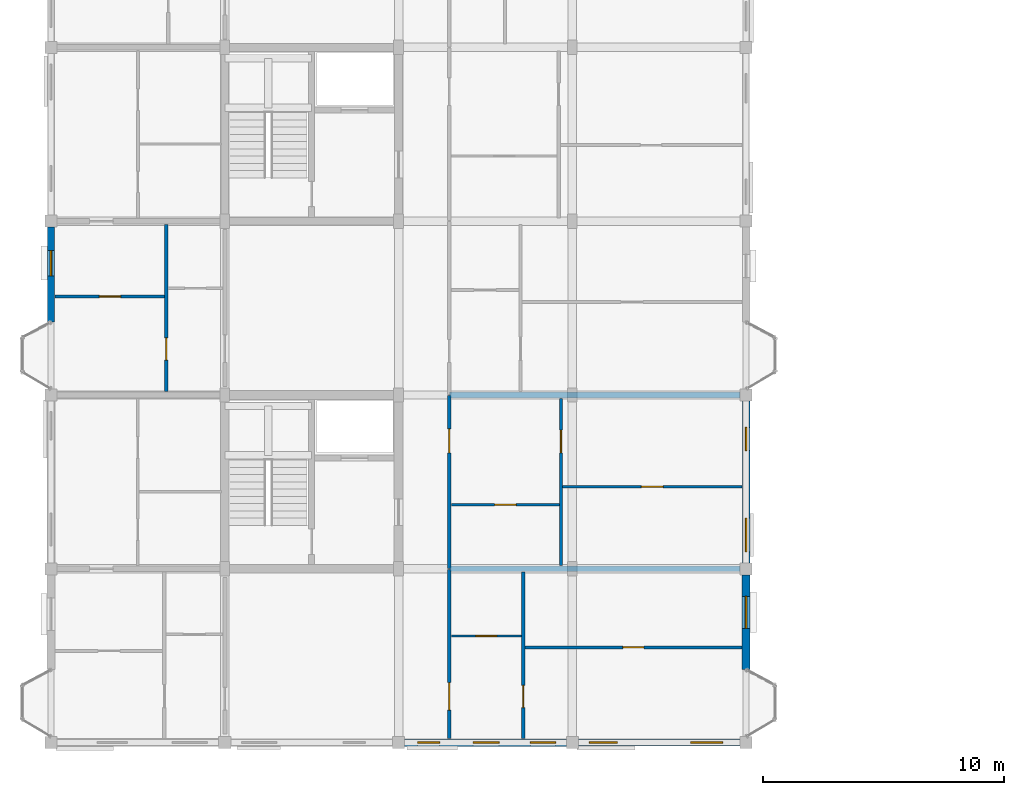
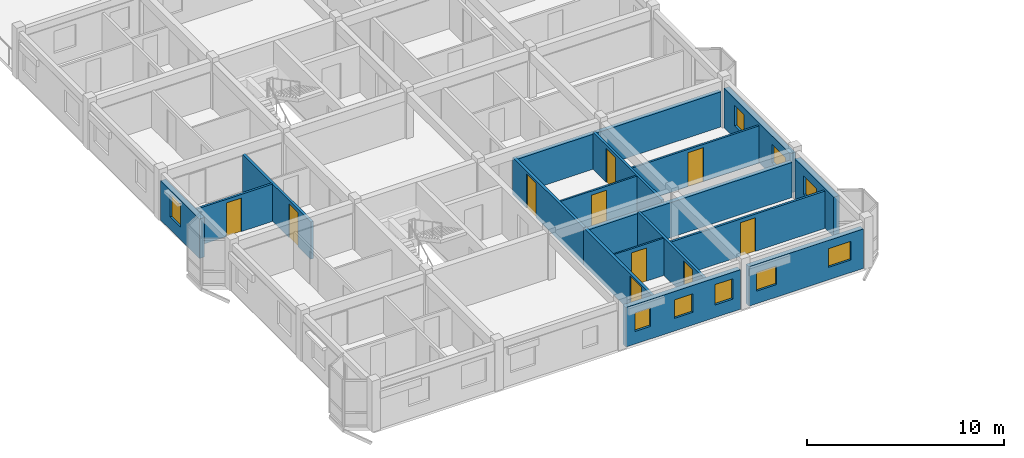
# One storey, part 47 of 70: 17 walls, 10 doors, 9 windows, 19 openings.
"""IFC4 building model written with IfcOpenShell, lengths in metres."""

from ifc_helpers import new_model, si_unit, direction, frame, frame_2d, origin, place, context, subcontext, project, spatial, rectangle, extrude, material, layer, layer_set, type_object, element, fill, save


model = new_model("IFC4")

# Units and contexts
model_context = context("Model", 3, precision=1e-05, world=origin(), true_north=direction((0.0, 1.0)))
body_context = subcontext(model_context, "Body", "Model", "MODEL_VIEW")
ifc_project = project(units=[si_unit("LENGTHUNIT", "METRE"), si_unit("AREAUNIT", "SQUARE_METRE"), si_unit("VOLUMEUNIT", "CUBIC_METRE"), si_unit("PLANEANGLEUNIT", "RADIAN"), si_unit("MASSUNIT", "GRAM", prefix="KILO"), si_unit("THERMODYNAMICTEMPERATUREUNIT", "KELVIN"), si_unit("POWERUNIT", "WATT")], contexts=[model_context])

# Site, building, storey
site_placement = place(None, origin())
site = spatial("IfcSite", under=ifc_project, at=site_placement, CompositionType="ELEMENT")
building_placement = place(site_placement, origin())
building = spatial("IfcBuilding", under=site, at=building_placement, Name="Tavuni Mirador Residences", CompositionType="ELEMENT")
storey_placement = place(building_placement, frame((0.0, 0.0, 23.39990234375)))
storey = spatial("IfcBuildingStorey", under=building, at=storey_placement, Name="L07", CompositionType="ELEMENT", Elevation=23.39990234375)

# Wall, opening, door
ifc_material_1 = material(Name="Precast concrete C40/50", Category="concrete")
ifc_layer_1 = layer(ifc_material_1, 0.1650390625, Name="Precast concrete C40/50", Category="concrete")
ifc_layer_set_1 = layer_set([ifc_layer_1], Name="Precast concrete C40/50")
wall_type_1 = type_object("IfcWallType", Name="WT-CORR165", PredefinedType="PARTITIONING", material=ifc_layer_set_1)
wall_1_placement = place(storey_placement, frame((20.10009765625, 7.375, 0.0), z_axis=(0.0, 0.0, 1.0), x_axis=(0.0, 1.0, 0.0)))
wall_1 = element("IfcWall", 1, at=wall_1_placement, inside=storey, type_object=wall_type_1, Name="CORW-BLK-A-L07-0-00", PredefinedType="PARTITIONING", context=body_context, shape_type="SweptSolid", body=[
    extrude(rectangle(XDim=7.0048828125, YDim=0.1650390625, at=frame_2d((3.50244140625, 0.0))), origin(), (0.0, 0.0, 1.0), 2.30517578125),
])
opening_1_placement = place(wall_1_placement, frame((1.175048828125, 0.0, 0.0)))
opening_1 = element("IfcOpeningElement", 2, at=opening_1_placement, cuts=wall_1, Name="Opening D-20", PredefinedType="OPENING", context=body_context, shape_type="SweptSolid", body=[
    extrude(rectangle(XDim=1.139892578125, YDim=2.179931640625, at=frame_2d((0.56982421875, 1.08984375))), frame((0.0, 0.092529296875, 0.0), z_axis=(0.0, -1.0, 0.0), x_axis=(1.0, 0.0, 0.0)), (0.0, 0.0, 1.0), 0.18505859375),
])
ifc_material_2 = material(Name="Solid core iroko timber", Category="wood")
door_type_1 = type_object("IfcDoorType", Name="DT-FD60-1140", OperationType="NOTDEFINED", PredefinedType="DOOR", material=ifc_material_2)
door_1_placement = place(opening_1_placement, origin())
door_1 = element("IfcDoor", 3, at=door_1_placement, inside=storey, type_object=door_type_1, Name="DR-2453", OperationType="SINGLE_SWING_RIGHT", OverallHeight=2.179931640625, OverallWidth=1.139892578125, PredefinedType="DOOR", context=body_context, shape_type="SweptSolid", body=[
    extrude(rectangle(XDim=1.139892578125, YDim=2.179931640625, at=frame_2d((0.56982421875, 1.08984375))), frame((0.0, 0.02490234375, 0.0), z_axis=(0.0, -1.0, 0.0), x_axis=(1.0, 0.0, 0.0)), (0.0, 0.0, 1.0), 0.050048828125),
])
fill(opening_1, door_1)

wall_2_placement = place(storey_placement, frame((20.10009765625, 14.419921875, 0.0), z_axis=(0.0, 0.0, 1.0), x_axis=(0.0, 1.0, 0.0)))
wall_2 = element("IfcWall", 4, at=wall_2_placement, inside=storey, type_object=wall_type_1, Name="CORW-BLK-A-L07-0-01", PredefinedType="PARTITIONING", context=body_context, shape_type="SweptSolid", body=[
    extrude(rectangle(XDim=7.16015625, YDim=0.1650390625, at=frame_2d((3.580078125, 0.0))), origin(), (0.0, 0.0, 1.0), 2.30517578125),
])
opening_2_placement = place(wall_2_placement, frame((4.780029296875, 0.0, 0.0)))
opening_2 = element("IfcOpeningElement", 5, at=opening_2_placement, cuts=wall_2, Name="Opening D-03", PredefinedType="OPENING", context=body_context, shape_type="SweptSolid", body=[
    extrude(rectangle(XDim=1.0, YDim=2.14990234375, at=frame_2d((0.5, 1.074951171875))), frame((0.0, 0.092529296875, 0.0), z_axis=(0.0, -1.0, 0.0), x_axis=(1.0, 0.0, 0.0)), (0.0, 0.0, 1.0), 0.18505859375),
])
door_type_2 = type_object("IfcDoorType", Name="DT-FD60-1000", OperationType="NOTDEFINED", PredefinedType="DOOR", material=ifc_material_2)
door_2_placement = place(opening_2_placement, origin())
door_2 = element("IfcDoor", 6, at=door_2_placement, inside=storey, type_object=door_type_2, Name="DR-2454", OperationType="SINGLE_SWING_LEFT", OverallHeight=2.14990234375, OverallWidth=1.0, PredefinedType="DOOR", context=body_context, shape_type="SweptSolid", body=[
    extrude(rectangle(XDim=1.0, YDim=2.14990234375, at=frame_2d((0.5, 1.074951171875))), frame((0.0, 0.02490234375, 0.0), z_axis=(0.0, -1.0, 0.0), x_axis=(1.0, 0.0, 0.0)), (0.0, 0.0, 1.0), 0.050048828125),
])
fill(opening_2, door_2)

# Wall, opening, window
ifc_layer_2 = layer(ifc_material_1, 0.330078125, Name="Precast concrete C40/50", Category="concrete")
ifc_layer_set_2 = layer_set([ifc_layer_2], Name="Precast concrete C40/50")
wall_type_2 = type_object("IfcWallType", Name="WT-EXT-COR330", PredefinedType="SOLIDWALL", material=ifc_layer_set_2)
wall_3_placement = place(storey_placement, frame((32.39990234375, 10.219970703125, 0.0), z_axis=(0.0, 0.0, 1.0), x_axis=(0.0, 1.0, 0.0)))
wall_3 = element("IfcWall", 7, at=wall_3_placement, inside=storey, type_object=wall_type_2, Name="EW-BLK-A-L07-E00", PredefinedType="SOLIDWALL", context=body_context, shape_type="SweptSolid", body=[
    extrude(rectangle(XDim=3.929931640625, YDim=0.330078125, at=frame_2d((1.96484375, 0.0))), origin(), (0.0, 0.0, 1.0), 2.440185546875),
])
opening_3_placement = place(wall_3_placement, frame((1.715087890625, 0.0, 0.780029296875)))
opening_3 = element("IfcOpeningElement", 8, at=opening_3_placement, cuts=wall_3, Name="Opening WN-07", PredefinedType="OPENING", context=body_context, shape_type="SweptSolid", body=[
    extrude(rectangle(XDim=1.320068359375, YDim=1.14990234375, at=frame_2d((0.66015625, 0.574951171875))), frame((0.0, 0.175048828125, 0.0), z_axis=(0.0, -1.0, 0.0), x_axis=(1.0, 0.0, 0.0)), (0.0, 0.0, 1.0), 0.35009765625),
])
ifc_material_3 = material(Name="Laminated solar-control glass", Category="glass")
window_type_1 = type_object("IfcWindowType", Name="WNT-07", PartitioningType="SINGLE_PANEL", PredefinedType="WINDOW", material=ifc_material_3)
window_1_placement = place(opening_3_placement, origin())
window_1 = element("IfcWindow", 9, at=window_1_placement, inside=storey, type_object=window_type_1, Name="WIN-0269", OverallHeight=1.14990234375, OverallWidth=1.320068359375, PartitioningType="SINGLE_PANEL", PredefinedType="WINDOW", context=body_context, shape_type="SweptSolid", body=[
    extrude(rectangle(XDim=1.320068359375, YDim=1.14990234375, at=frame_2d((0.66015625, 0.574951171875))), frame((0.0, 0.030029296875, 0.0), z_axis=(0.0, -1.0, 0.0), x_axis=(1.0, 0.0, 0.0)), (0.0, 0.0, 1.0), 0.06005859375),
])
fill(opening_3, window_1)

# Wall, openings, windows
ifc_material_4 = material(Name="Sgraffito lime-rendered precast concrete C40/50", Category="concrete")
ifc_layer_3 = layer(ifc_material_4, 0.2900390625, Name="Sgraffito lime-rendered precast concrete C40/50", Category="concrete")
ifc_layer_set_3 = layer_set([ifc_layer_3], Name="Sgraffito lime-rendered precast concrete C40/50")
wall_type_3 = type_object("IfcWallType", Name="WT-EXT-PC290", PredefinedType="SOLIDWALL", material=ifc_layer_set_3)
wall_4_placement = place(storey_placement, frame((25.449951171875, 7.199951171875, 0.0), z_axis=(0.0, 0.0, 1.0), x_axis=(1.0, 0.0, 0.0)))
wall_4 = element("IfcWall", 10, at=wall_4_placement, inside=storey, type_object=wall_type_3, Name="EW-BLK-A-L07-S03", PredefinedType="SOLIDWALL", context=body_context, shape_type="SweptSolid", body=[
    extrude(rectangle(XDim=6.699951171875, YDim=0.2900390625, at=frame_2d((3.35009765625, 0.0))), origin(), (0.0, 0.0, 1.0), 2.440185546875),
])
opening_4_placement = place(wall_4_placement, frame((0.449951171875, 0.0, 0.780029296875)))
opening_4 = element("IfcOpeningElement", 11, at=opening_4_placement, cuts=wall_4, Name="Opening WN-05", PredefinedType="OPENING", context=body_context, shape_type="SweptSolid", body=[
    extrude(rectangle(XDim=1.159912109375, YDim=1.14990234375, at=frame_2d((0.580078125, 0.574951171875))), frame((0.0, 0.155029296875, 0.0), z_axis=(0.0, -1.0, 0.0), x_axis=(1.0, 0.0, 0.0)), (0.0, 0.0, 1.0), 0.31005859375),
])
opening_5_placement = place(wall_4_placement, frame((4.64990234375, 0.0, 0.780029296875)))
opening_5 = element("IfcOpeningElement", 12, at=opening_5_placement, cuts=wall_4, Name="Opening WN-07", PredefinedType="OPENING", context=body_context, shape_type="SweptSolid", body=[
    extrude(rectangle(XDim=1.320068359375, YDim=1.14990234375, at=frame_2d((0.66015625, 0.574951171875))), frame((0.0, 0.155029296875, 0.0), z_axis=(0.0, -1.0, 0.0), x_axis=(1.0, 0.0, 0.0)), (0.0, 0.0, 1.0), 0.31005859375),
])
window_type_2 = type_object("IfcWindowType", Name="WNT-05", PartitioningType="SINGLE_PANEL", PredefinedType="WINDOW", material=ifc_material_3)
window_2_placement = place(opening_4_placement, origin())
window_2 = element("IfcWindow", 13, at=window_2_placement, inside=storey, type_object=window_type_2, Name="WIN-0267", OverallHeight=1.14990234375, OverallWidth=1.159912109375, PartitioningType="SINGLE_PANEL", PredefinedType="WINDOW", context=body_context, shape_type="SweptSolid", body=[
    extrude(rectangle(XDim=1.159912109375, YDim=1.14990234375, at=frame_2d((0.580078125, 0.574951171875))), frame((0.0, 0.030029296875, 0.0), z_axis=(0.0, -1.0, 0.0), x_axis=(1.0, 0.0, 0.0)), (0.0, 0.0, 1.0), 0.06005859375),
])
fill(opening_4, window_2)
window_3_placement = place(opening_5_placement, origin())
window_3 = element("IfcWindow", 14, at=window_3_placement, inside=storey, type_object=window_type_1, Name="WIN-0268", OverallHeight=1.14990234375, OverallWidth=1.320068359375, PartitioningType="SINGLE_PANEL", PredefinedType="WINDOW", context=body_context, shape_type="SweptSolid", body=[
    extrude(rectangle(XDim=1.320068359375, YDim=1.14990234375, at=frame_2d((0.66015625, 0.574951171875))), frame((0.0, 0.030029296875, 0.0), z_axis=(0.0, -1.0, 0.0), x_axis=(1.0, 0.0, 0.0)), (0.0, 0.0, 1.0), 0.06005859375),
])
fill(opening_5, window_3)

ifc_layer_4 = layer(ifc_material_4, 0.304931640625, Name="Sgraffito lime-rendered precast concrete C40/50", Category="concrete")
ifc_layer_set_4 = layer_set([ifc_layer_4], Name="Sgraffito lime-rendered precast concrete C40/50")
wall_type_4 = type_object("IfcWallType", Name="WT-EXT-PC305", PredefinedType="SOLIDWALL", material=ifc_layer_set_4)
wall_5_placement = place(storey_placement, frame((18.25, 7.199951171875, 0.0), z_axis=(0.0, 0.0, 1.0), x_axis=(1.0, 0.0, 0.0)))
wall_5 = element("IfcWall", 15, at=wall_5_placement, inside=storey, type_object=wall_type_4, Name="EW-BLK-A-L07-S02", PredefinedType="SOLIDWALL", context=body_context, shape_type="SweptSolid", body=[
    extrude(rectangle(XDim=6.699951171875, YDim=0.304931640625, at=frame_2d((3.35009765625, 0.0))), origin(), (0.0, 0.0, 1.0), 2.440185546875),
])
opening_6_placement = place(wall_5_placement, frame((0.534912109375, 0.0, 0.780029296875)))
opening_6 = element("IfcOpeningElement", 16, at=opening_6_placement, cuts=wall_5, Name="Opening WN-02", PredefinedType="OPENING", context=body_context, shape_type="SweptSolid", body=[
    extrude(rectangle(XDim=0.919921875, YDim=1.14990234375, at=frame_2d((0.4599609375, 0.574951171875))), frame((0.0, 0.16259765625, 0.0), z_axis=(0.0, -1.0, 0.0), x_axis=(1.0, 0.0, 0.0)), (0.0, 0.0, 1.0), 0.324951171875),
])
opening_7_placement = place(wall_5_placement, frame((2.840087890625, 0.0, 0.780029296875)))
opening_7 = element("IfcOpeningElement", 17, at=opening_7_placement, cuts=wall_5, Name="Opening WN-04", PredefinedType="OPENING", context=body_context, shape_type="SweptSolid", body=[
    extrude(rectangle(XDim=1.080078125, YDim=1.14990234375, at=frame_2d((0.5400390625, 0.574951171875))), frame((0.0, 0.16259765625, 0.0), z_axis=(0.0, -1.0, 0.0), x_axis=(1.0, 0.0, 0.0)), (0.0, 0.0, 1.0), 0.324951171875),
])
opening_8_placement = place(wall_5_placement, frame((5.215087890625, 0.0, 0.780029296875)))
opening_8 = element("IfcOpeningElement", 18, at=opening_8_placement, cuts=wall_5, Name="Opening WN-11", PredefinedType="OPENING", context=body_context, shape_type="SweptSolid", body=[
    extrude(rectangle(XDim=1.0400390625, YDim=1.260009765625, at=frame_2d((0.52001953125, 0.6298828125))), frame((0.0, 0.16259765625, 0.0), z_axis=(0.0, -1.0, 0.0), x_axis=(1.0, 0.0, 0.0)), (0.0, 0.0, 1.0), 0.324951171875),
])
window_type_3 = type_object("IfcWindowType", Name="WNT-02", PartitioningType="SINGLE_PANEL", PredefinedType="WINDOW", material=ifc_material_3)
window_4_placement = place(opening_6_placement, origin())
window_4 = element("IfcWindow", 19, at=window_4_placement, inside=storey, type_object=window_type_3, Name="WIN-0264", OverallHeight=1.14990234375, OverallWidth=0.919921875, PartitioningType="SINGLE_PANEL", PredefinedType="WINDOW", context=body_context, shape_type="SweptSolid", body=[
    extrude(rectangle(XDim=0.919921875, YDim=1.14990234375, at=frame_2d((0.4599609375, 0.574951171875))), frame((0.0, 0.030029296875, 0.0), z_axis=(0.0, -1.0, 0.0), x_axis=(1.0, 0.0, 0.0)), (0.0, 0.0, 1.0), 0.06005859375),
])
fill(opening_6, window_4)
window_type_4 = type_object("IfcWindowType", Name="WNT-04", PartitioningType="SINGLE_PANEL", PredefinedType="WINDOW", material=ifc_material_3)
window_5_placement = place(opening_7_placement, origin())
window_5 = element("IfcWindow", 20, at=window_5_placement, inside=storey, type_object=window_type_4, Name="WIN-0265", OverallHeight=1.14990234375, OverallWidth=1.080078125, PartitioningType="SINGLE_PANEL", PredefinedType="WINDOW", context=body_context, shape_type="SweptSolid", body=[
    extrude(rectangle(XDim=1.080078125, YDim=1.14990234375, at=frame_2d((0.5400390625, 0.574951171875))), frame((0.0, 0.030029296875, 0.0), z_axis=(0.0, -1.0, 0.0), x_axis=(1.0, 0.0, 0.0)), (0.0, 0.0, 1.0), 0.06005859375),
])
fill(opening_7, window_5)
window_type_5 = type_object("IfcWindowType", Name="WNT-11", PartitioningType="SINGLE_PANEL", PredefinedType="WINDOW", material=ifc_material_3)
window_6_placement = place(opening_8_placement, origin())
window_6 = element("IfcWindow", 21, at=window_6_placement, inside=storey, type_object=window_type_5, Name="WIN-0266", OverallHeight=1.260009765625, OverallWidth=1.0400390625, PartitioningType="SINGLE_PANEL", PredefinedType="WINDOW", context=body_context, shape_type="SweptSolid", body=[
    extrude(rectangle(XDim=1.0400390625, YDim=1.260009765625, at=frame_2d((0.52001953125, 0.6298828125))), frame((0.0, 0.030029296875, 0.0), z_axis=(0.0, -1.0, 0.0), x_axis=(1.0, 0.0, 0.0)), (0.0, 0.0, 1.0), 0.06005859375),
])
fill(opening_8, window_6)

# Wall, opening, window
wall_6_placement = place(storey_placement, frame((3.60009765625, 28.550048828125, 0.0), z_axis=(0.0, 0.0, 1.0), x_axis=(0.0, -1.0, 0.0)))
wall_6 = element("IfcWall", 22, at=wall_6_placement, inside=storey, type_object=wall_type_4, Name="EW-BLK-A-L07-W02", PredefinedType="SOLIDWALL", context=body_context, shape_type="SweptSolid", body=[
    extrude(rectangle(XDim=3.929931640625, YDim=0.304931640625, at=frame_2d((1.96484375, 0.0))), origin(), (0.0, 0.0, 1.0), 2.440185546875),
])
opening_9_placement = place(wall_6_placement, frame((0.965087890625, 0.0, 0.780029296875)))
opening_9 = element("IfcOpeningElement", 23, at=opening_9_placement, cuts=wall_6, Name="Opening WN-26", PredefinedType="OPENING", context=body_context, shape_type="SweptSolid", body=[
    extrude(rectangle(XDim=1.050048828125, YDim=1.43994140625, at=frame_2d((0.52490234375, 0.719970703125))), frame((0.0, 0.16259765625, 0.0), z_axis=(0.0, -1.0, 0.0), x_axis=(1.0, 0.0, 0.0)), (0.0, 0.0, 1.0), 0.324951171875),
])
window_type_6 = type_object("IfcWindowType", Name="WNT-26", PartitioningType="SINGLE_PANEL", PredefinedType="WINDOW", material=ifc_material_3)
window_7_placement = place(opening_9_placement, origin())
window_7 = element("IfcWindow", 24, at=window_7_placement, inside=storey, type_object=window_type_6, Name="WIN-0288", OverallHeight=1.43994140625, OverallWidth=1.050048828125, PartitioningType="SINGLE_PANEL", PredefinedType="WINDOW", context=body_context, shape_type="SweptSolid", body=[
    extrude(rectangle(XDim=1.050048828125, YDim=1.43994140625, at=frame_2d((0.52490234375, 0.719970703125))), frame((0.0, 0.030029296875, 0.0), z_axis=(0.0, -1.0, 0.0), x_axis=(1.0, 0.0, 0.0)), (0.0, 0.0, 1.0), 0.06005859375),
])
fill(opening_9, window_7)

# Wall, openings, windows
ifc_layer_5 = layer(ifc_material_4, 0.31494140625, Name="Sgraffito lime-rendered precast concrete C40/50", Category="concrete")
ifc_layer_set_5 = layer_set([ifc_layer_5], Name="Sgraffito lime-rendered precast concrete C40/50")
wall_type_5 = type_object("IfcWallType", Name="WT-EXT-PC315", PredefinedType="SOLIDWALL", material=ifc_layer_set_5)
wall_7_placement = place(storey_placement, frame((32.39990234375, 14.64990234375, 0.0), z_axis=(0.0, 0.0, 1.0), x_axis=(0.0, 1.0, 0.0)))
wall_7 = element("IfcWall", 25, at=wall_7_placement, inside=storey, type_object=wall_type_5, Name="EW-BLK-A-L07-E01", PredefinedType="SOLIDWALL", context=body_context, shape_type="SweptSolid", body=[
    extrude(rectangle(XDim=6.7001953125, YDim=0.31494140625, at=frame_2d((3.35009765625, 0.0))), origin(), (0.0, 0.0, 1.0), 2.440185546875),
])
opening_10_placement = place(wall_7_placement, frame((0.449951171875, 0.0, 0.780029296875)))
opening_10 = element("IfcOpeningElement", 26, at=opening_10_placement, cuts=wall_7, Name="Opening WN-08", PredefinedType="OPENING", context=body_context, shape_type="SweptSolid", body=[
    extrude(rectangle(XDim=1.39990234375, YDim=1.14990234375, at=frame_2d((0.699951171875, 0.574951171875))), frame((0.0, 0.16748046875, 0.0), z_axis=(0.0, -1.0, 0.0), x_axis=(1.0, 0.0, 0.0)), (0.0, 0.0, 1.0), 0.3349609375),
])
opening_11_placement = place(wall_7_placement, frame((4.64990234375, 0.0, 0.780029296875)))
opening_11 = element("IfcOpeningElement", 27, at=opening_11_placement, cuts=wall_7, Name="Opening WN-10", PredefinedType="OPENING", context=body_context, shape_type="SweptSolid", body=[
    extrude(rectangle(XDim=0.9599609375, YDim=1.260009765625, at=frame_2d((0.47998046875, 0.6298828125))), frame((0.0, 0.16748046875, 0.0), z_axis=(0.0, -1.0, 0.0), x_axis=(1.0, 0.0, 0.0)), (0.0, 0.0, 1.0), 0.3349609375),
])
window_type_7 = type_object("IfcWindowType", Name="WNT-08", PartitioningType="SINGLE_PANEL", PredefinedType="WINDOW", material=ifc_material_3)
window_8_placement = place(opening_10_placement, origin())
window_8 = element("IfcWindow", 28, at=window_8_placement, inside=storey, type_object=window_type_7, Name="WIN-0270", OverallHeight=1.14990234375, OverallWidth=1.39990234375, PartitioningType="SINGLE_PANEL", PredefinedType="WINDOW", context=body_context, shape_type="SweptSolid", body=[
    extrude(rectangle(XDim=1.39990234375, YDim=1.14990234375, at=frame_2d((0.699951171875, 0.574951171875))), frame((0.0, 0.030029296875, 0.0), z_axis=(0.0, -1.0, 0.0), x_axis=(1.0, 0.0, 0.0)), (0.0, 0.0, 1.0), 0.06005859375),
])
fill(opening_10, window_8)
window_type_8 = type_object("IfcWindowType", Name="WNT-10", PartitioningType="SINGLE_PANEL", PredefinedType="WINDOW", material=ifc_material_3)
window_9_placement = place(opening_11_placement, origin())
window_9 = element("IfcWindow", 29, at=window_9_placement, inside=storey, type_object=window_type_8, Name="WIN-0271", OverallHeight=1.260009765625, OverallWidth=0.9599609375, PartitioningType="SINGLE_PANEL", PredefinedType="WINDOW", context=body_context, shape_type="SweptSolid", body=[
    extrude(rectangle(XDim=0.9599609375, YDim=1.260009765625, at=frame_2d((0.47998046875, 0.6298828125))), frame((0.0, 0.030029296875, 0.0), z_axis=(0.0, -1.0, 0.0), x_axis=(1.0, 0.0, 0.0)), (0.0, 0.0, 1.0), 0.06005859375),
])
fill(opening_11, window_9)

# Wall, opening, door
ifc_material_5 = material(Name="Acoustic gypsum and concrete block partition", Category="concrete")
ifc_layer_6 = layer(ifc_material_5, 0.094970703125, Name="Acoustic gypsum and concrete block partition", Category="concrete")
ifc_layer_set_6 = layer_set([ifc_layer_6], Name="Acoustic gypsum and concrete block partition")
wall_type_6 = type_object("IfcWallType", Name="WT-PART095", PredefinedType="PARTITIONING", material=ifc_layer_set_6)
wall_8_placement = place(storey_placement, frame((20.18994140625, 11.6201171875, 0.0), z_axis=(0.0, 0.0, 1.0), x_axis=(1.0, 0.0, 0.0)))
wall_8 = element("IfcWall", 30, at=wall_8_placement, inside=storey, type_object=wall_type_6, Name="PW-BLK-A-L07-E00-IN1", PredefinedType="PARTITIONING", context=body_context, shape_type="SweptSolid", body=[
    extrude(rectangle(XDim=2.900146484375, YDim=0.094970703125, at=frame_2d((1.4501953125, 0.0))), origin(), (0.0, 0.0, 1.0), 2.30517578125),
])
opening_12_placement = place(wall_8_placement, frame((1.014892578125, 0.0, 0.0)))
opening_12 = element("IfcOpeningElement", 31, at=opening_12_placement, cuts=wall_8, Name="Opening D-10", PredefinedType="OPENING", context=body_context, shape_type="SweptSolid", body=[
    extrude(rectangle(XDim=0.8701171875, YDim=2.050048828125, at=frame_2d((0.43505859375, 1.02490234375))), frame((0.0, 0.0576171875, 0.0), z_axis=(0.0, -1.0, 0.0), x_axis=(1.0, 0.0, 0.0)), (0.0, 0.0, 1.0), 0.114990234375),
])
door_type_3 = type_object("IfcDoorType", Name="DT-WC870", OperationType="NOTDEFINED", PredefinedType="DOOR", material=ifc_material_2)
door_3_placement = place(opening_12_placement, origin())
door_3 = element("IfcDoor", 32, at=door_3_placement, inside=storey, type_object=door_type_3, Name="DR-3175", OperationType="SINGLE_SWING_LEFT", OverallHeight=2.050048828125, OverallWidth=0.8701171875, PredefinedType="DOOR", context=body_context, shape_type="SweptSolid", body=[
    extrude(rectangle(XDim=0.8701171875, YDim=2.050048828125, at=frame_2d((0.43505859375, 1.02490234375))), frame((0.0, 0.02490234375, 0.0), z_axis=(0.0, -1.0, 0.0), x_axis=(1.0, 0.0, 0.0)), (0.0, 0.0, 1.0), 0.050048828125),
])
fill(opening_12, door_3)

ifc_layer_7 = layer(ifc_material_5, 0.10498046875, Name="Acoustic gypsum and concrete block partition", Category="concrete")
ifc_layer_set_7 = layer_set([ifc_layer_7], Name="Acoustic gypsum and concrete block partition")
wall_type_7 = type_object("IfcWallType", Name="WT-PART105", PredefinedType="PARTITIONING", material=ifc_layer_set_7)
wall_9_placement = place(storey_placement, frame((20.18994140625, 17.050048828125, 0.0), z_axis=(0.0, 0.0, 1.0), x_axis=(1.0, 0.0, 0.0)))
wall_9 = element("IfcWall", 33, at=wall_9_placement, inside=storey, type_object=wall_type_7, Name="PW-BLK-A-L07-E01-IN1", PredefinedType="PARTITIONING", context=body_context, shape_type="SweptSolid", body=[
    extrude(rectangle(XDim=4.469970703125, YDim=0.10498046875, at=frame_2d((2.23486328125, 0.0))), origin(), (0.0, 0.0, 1.0), 2.30517578125),
])
opening_13_placement = place(wall_9_placement, frame((1.784912109375, 0.0, 0.0)))
opening_13 = element("IfcOpeningElement", 34, at=opening_13_placement, cuts=wall_9, Name="Opening D-09", PredefinedType="OPENING", context=body_context, shape_type="SweptSolid", body=[
    extrude(rectangle(XDim=0.89990234375, YDim=2.050048828125, at=frame_2d((0.449951171875, 1.02490234375))), frame((0.0, 0.0625, 0.0), z_axis=(0.0, -1.0, 0.0), x_axis=(1.0, 0.0, 0.0)), (0.0, 0.0, 1.0), 0.125),
])
door_type_4 = type_object("IfcDoorType", Name="DT-WC900", OperationType="NOTDEFINED", PredefinedType="DOOR", material=ifc_material_2)
door_4_placement = place(opening_13_placement, origin())
door_4 = element("IfcDoor", 35, at=door_4_placement, inside=storey, type_object=door_type_4, Name="DR-3180", OperationType="SINGLE_SWING_RIGHT", OverallHeight=2.050048828125, OverallWidth=0.89990234375, PredefinedType="DOOR", context=body_context, shape_type="SweptSolid", body=[
    extrude(rectangle(XDim=0.89990234375, YDim=2.050048828125, at=frame_2d((0.449951171875, 1.02490234375))), frame((0.0, 0.02490234375, 0.0), z_axis=(0.0, -1.0, 0.0), x_axis=(1.0, 0.0, 0.0)), (0.0, 0.0, 1.0), 0.050048828125),
])
fill(opening_13, door_4)

ifc_layer_8 = layer(ifc_material_5, 0.114990234375, Name="Acoustic gypsum and concrete block partition", Category="concrete")
ifc_layer_set_8 = layer_set([ifc_layer_8], Name="Acoustic gypsum and concrete block partition")
wall_type_8 = type_object("IfcWallType", Name="WT-PART115", PredefinedType="PARTITIONING", material=ifc_layer_set_8)
wall_10_placement = place(storey_placement, frame((24.800048828125, 17.800048828125, 0.0), z_axis=(0.0, 0.0, 1.0), x_axis=(1.0, 0.0, 0.0)))
wall_10 = element("IfcWall", 36, at=wall_10_placement, inside=storey, type_object=wall_type_8, Name="PW-BLK-A-L07-E01-OUT", PredefinedType="PARTITIONING", context=body_context, shape_type="SweptSolid", body=[
    extrude(rectangle(XDim=7.425048828125, YDim=0.114990234375, at=frame_2d((3.71240234375, 0.0))), origin(), (0.0, 0.0, 1.0), 2.30517578125),
])
opening_14_placement = place(wall_10_placement, frame((3.262451171875, 0.0, 0.0)))
opening_14 = element("IfcOpeningElement", 37, at=opening_14_placement, cuts=wall_10, Name="Opening D-07", PredefinedType="OPENING", context=body_context, shape_type="SweptSolid", body=[
    extrude(rectangle(XDim=0.89990234375, YDim=2.10009765625, at=frame_2d((0.449951171875, 1.050048828125))), frame((0.0, 0.0673828125, 0.0), z_axis=(0.0, -1.0, 0.0), x_axis=(1.0, 0.0, 0.0)), (0.0, 0.0, 1.0), 0.135009765625),
])
door_type_5 = type_object("IfcDoorType", Name="DT-BED900", OperationType="NOTDEFINED", PredefinedType="DOOR", material=ifc_material_2)
door_5_placement = place(opening_14_placement, origin())
door_5 = element("IfcDoor", 38, at=door_5_placement, inside=storey, type_object=door_type_5, Name="DR-3179", OperationType="SINGLE_SWING_LEFT", OverallHeight=2.10009765625, OverallWidth=0.89990234375, PredefinedType="DOOR", context=body_context, shape_type="SweptSolid", body=[
    extrude(rectangle(XDim=0.89990234375, YDim=2.10009765625, at=frame_2d((0.449951171875, 1.050048828125))), frame((0.0, 0.02490234375, 0.0), z_axis=(0.0, -1.0, 0.0), x_axis=(1.0, 0.0, 0.0)), (0.0, 0.0, 1.0), 0.050048828125),
])
fill(opening_14, door_5)

ifc_layer_9 = layer(ifc_material_5, 0.125, Name="Acoustic gypsum and concrete block partition", Category="concrete")
ifc_layer_set_9 = layer_set([ifc_layer_9], Name="Acoustic gypsum and concrete block partition")
wall_type_9 = type_object("IfcWallType", Name="WT-PART125", PredefinedType="PARTITIONING", material=ifc_layer_set_9)
wall_11_placement = place(storey_placement, frame((23.22998046875, 11.14990234375, 0.0), z_axis=(0.0, 0.0, 1.0), x_axis=(1.0, 0.0, 0.0)))
wall_11 = element("IfcWall", 39, at=wall_11_placement, inside=storey, type_object=wall_type_9, Name="PW-BLK-A-L07-E00-OUT", PredefinedType="PARTITIONING", context=body_context, shape_type="SweptSolid", body=[
    extrude(rectangle(XDim=8.9951171875, YDim=0.125, at=frame_2d((4.49755859375, 0.0))), origin(), (0.0, 0.0, 1.0), 2.30517578125),
])
opening_15_placement = place(wall_11_placement, frame((4.0576171875, 0.0, 0.0)))
opening_15 = element("IfcOpeningElement", 40, at=opening_15_placement, cuts=wall_11, Name="Opening D-08", PredefinedType="OPENING", context=body_context, shape_type="SweptSolid", body=[
    extrude(rectangle(XDim=0.8798828125, YDim=2.080078125, at=frame_2d((0.43994140625, 1.0400390625))), frame((0.0, 0.072509765625, 0.0), z_axis=(0.0, -1.0, 0.0), x_axis=(1.0, 0.0, 0.0)), (0.0, 0.0, 1.0), 0.14501953125),
])
door_type_6 = type_object("IfcDoorType", Name="DT-BED880", OperationType="NOTDEFINED", PredefinedType="DOOR", material=ifc_material_2)
door_6_placement = place(opening_15_placement, origin())
door_6 = element("IfcDoor", 41, at=door_6_placement, inside=storey, type_object=door_type_6, Name="DR-3174", OperationType="SINGLE_SWING_RIGHT", OverallHeight=2.080078125, OverallWidth=0.8798828125, PredefinedType="DOOR", context=body_context, shape_type="SweptSolid", body=[
    extrude(rectangle(XDim=0.8798828125, YDim=2.080078125, at=frame_2d((0.43994140625, 1.0400390625))), frame((0.0, 0.02490234375, 0.0), z_axis=(0.0, -1.0, 0.0), x_axis=(1.0, 0.0, 0.0)), (0.0, 0.0, 1.0), 0.050048828125),
])
fill(opening_15, door_6)

wall_12_placement = place(storey_placement, frame((3.77490234375, 25.679931640625, 0.0), z_axis=(0.0, 0.0, 1.0), x_axis=(1.0, 0.0, 0.0)))
wall_12 = element("IfcWall", 42, at=wall_12_placement, inside=storey, type_object=wall_type_9, Name="PW-BLK-A-L07-W02-OUT", PredefinedType="PARTITIONING", context=body_context, shape_type="SweptSolid", body=[
    extrude(rectangle(XDim=4.53515625, YDim=0.125, at=frame_2d((2.267578125, 0.0))), origin(), (0.0, 0.0, 1.0), 2.30517578125),
])
opening_16_placement = place(wall_12_placement, frame((1.827392578125, 0.0, 0.0)))
opening_16 = element("IfcOpeningElement", 43, at=opening_16_placement, cuts=wall_12, Name="Opening D-08", PredefinedType="OPENING", context=body_context, shape_type="SweptSolid", body=[
    extrude(rectangle(XDim=0.8798828125, YDim=2.080078125, at=frame_2d((0.43994140625, 1.0400390625))), frame((0.0, 0.072509765625, 0.0), z_axis=(0.0, -1.0, 0.0), x_axis=(1.0, 0.0, 0.0)), (0.0, 0.0, 1.0), 0.14501953125),
])
door_7_placement = place(opening_16_placement, origin())
door_7 = element("IfcDoor", 44, at=door_7_placement, inside=storey, type_object=door_type_6, Name="DR-3182", OperationType="SINGLE_SWING_RIGHT", OverallHeight=2.080078125, OverallWidth=0.8798828125, PredefinedType="DOOR", context=body_context, shape_type="SweptSolid", body=[
    extrude(rectangle(XDim=0.8798828125, YDim=2.080078125, at=frame_2d((0.43994140625, 1.0400390625))), frame((0.0, 0.02490234375, 0.0), z_axis=(0.0, -1.0, 0.0), x_axis=(1.0, 0.0, 0.0)), (0.0, 0.0, 1.0), 0.050048828125),
])
fill(opening_16, door_7)

ifc_layer_10 = layer(ifc_material_5, 0.139892578125, Name="Acoustic gypsum and concrete block partition", Category="concrete")
ifc_layer_set_10 = layer_set([ifc_layer_10], Name="Acoustic gypsum and concrete block partition")
wall_type_10 = type_object("IfcWallType", Name="WT-PART140", PredefinedType="PARTITIONING", material=ifc_layer_set_10)
wall_13_placement = place(storey_placement, frame((24.72998046875, 14.5400390625, 0.0), z_axis=(0.0, 0.0, 1.0), x_axis=(0.0, 1.0, 0.0)))
wall_13 = element("IfcWall", 45, at=wall_13_placement, inside=storey, type_object=wall_type_10, Name="PW-BLK-A-L07-E01-MID", PredefinedType="PARTITIONING", context=body_context, shape_type="SweptSolid", body=[
    extrude(rectangle(XDim=6.919921875, YDim=0.139892578125, at=frame_2d((3.4599609375, 0.0))), origin(), (0.0, 0.0, 1.0), 2.30517578125),
])
opening_17_placement = place(wall_13_placement, frame((4.659912109375, 0.0, 0.0)))
opening_17 = element("IfcOpeningElement", 46, at=opening_17_placement, cuts=wall_13, Name="Opening D-05", PredefinedType="OPENING", context=body_context, shape_type="SweptSolid", body=[
    extrude(rectangle(XDim=0.949951171875, YDim=2.10009765625, at=frame_2d((0.47509765625, 1.050048828125))), frame((0.0, 0.080078125, 0.0), z_axis=(0.0, -1.0, 0.0), x_axis=(1.0, 0.0, 0.0)), (0.0, 0.0, 1.0), 0.159912109375),
])
door_type_7 = type_object("IfcDoorType", Name="DT-INT950", OperationType="NOTDEFINED", PredefinedType="DOOR", material=ifc_material_2)
door_8_placement = place(opening_17_placement, origin())
door_8 = element("IfcDoor", 47, at=door_8_placement, inside=storey, type_object=door_type_7, Name="DR-3181", OperationType="SINGLE_SWING_LEFT", OverallHeight=2.10009765625, OverallWidth=0.949951171875, PredefinedType="DOOR", context=body_context, shape_type="SweptSolid", body=[
    extrude(rectangle(XDim=0.949951171875, YDim=2.10009765625, at=frame_2d((0.47509765625, 1.050048828125))), frame((0.0, 0.02490234375, 0.0), z_axis=(0.0, -1.0, 0.0), x_axis=(1.0, 0.0, 0.0)), (0.0, 0.0, 1.0), 0.050048828125),
])
fill(opening_17, door_8)

ifc_layer_11 = layer(ifc_material_5, 0.14990234375, Name="Acoustic gypsum and concrete block partition", Category="concrete")
ifc_layer_set_11 = layer_set([ifc_layer_11], Name="Acoustic gypsum and concrete block partition")
wall_type_11 = type_object("IfcWallType", Name="WT-PART150", PredefinedType="PARTITIONING", material=ifc_layer_set_11)
wall_14_placement = place(storey_placement, frame((23.159912109375, 7.375, 0.0), z_axis=(0.0, 0.0, 1.0), x_axis=(0.0, 1.0, 0.0)))
wall_14 = element("IfcWall", 48, at=wall_14_placement, inside=storey, type_object=wall_type_11, Name="PW-BLK-A-L07-E00-MID", PredefinedType="PARTITIONING", context=body_context, shape_type="SweptSolid", body=[
    extrude(rectangle(XDim=6.885009765625, YDim=0.14990234375, at=frame_2d((3.4423828125, 0.0))), origin(), (0.0, 0.0, 1.0), 2.30517578125),
])
opening_18_placement = place(wall_14_placement, frame((1.27490234375, 0.0, 0.0)))
opening_18 = element("IfcOpeningElement", 49, at=opening_18_placement, cuts=wall_14, Name="Opening D-06", PredefinedType="OPENING", context=body_context, shape_type="SweptSolid", body=[
    extrude(rectangle(XDim=0.919921875, YDim=2.10009765625, at=frame_2d((0.4599609375, 1.050048828125))), frame((0.0, 0.0849609375, 0.0), z_axis=(0.0, -1.0, 0.0), x_axis=(1.0, 0.0, 0.0)), (0.0, 0.0, 1.0), 0.169921875),
])
door_type_8 = type_object("IfcDoorType", Name="DT-INT920", OperationType="NOTDEFINED", PredefinedType="DOOR", material=ifc_material_2)
door_9_placement = place(opening_18_placement, origin())
door_9 = element("IfcDoor", 50, at=door_9_placement, inside=storey, type_object=door_type_8, Name="DR-3176", OperationType="SINGLE_SWING_RIGHT", OverallHeight=2.10009765625, OverallWidth=0.919921875, PredefinedType="DOOR", context=body_context, shape_type="SweptSolid", body=[
    extrude(rectangle(XDim=0.919921875, YDim=2.10009765625, at=frame_2d((0.4599609375, 1.050048828125))), frame((0.0, 0.02490234375, 0.0), z_axis=(0.0, -1.0, 0.0), x_axis=(1.0, 0.0, 0.0)), (0.0, 0.0, 1.0), 0.050048828125),
])
fill(opening_18, door_9)

wall_15_placement = place(storey_placement, frame((8.3798828125, 21.739990234375, 0.0), z_axis=(0.0, 0.0, 1.0), x_axis=(0.0, 1.0, 0.0)))
wall_15 = element("IfcWall", 51, at=wall_15_placement, inside=storey, type_object=wall_type_11, Name="PW-BLK-A-L07-W02-MID", PredefinedType="PARTITIONING", context=body_context, shape_type="SweptSolid", body=[
    extrude(rectangle(XDim=6.919921875, YDim=0.14990234375, at=frame_2d((3.4599609375, 0.0))), origin(), (0.0, 0.0, 1.0), 2.30517578125),
])
opening_19_placement = place(wall_15_placement, frame((1.31005859375, 0.0, 0.0)))
opening_19 = element("IfcOpeningElement", 52, at=opening_19_placement, cuts=wall_15, Name="Opening D-06", PredefinedType="OPENING", context=body_context, shape_type="SweptSolid", body=[
    extrude(rectangle(XDim=0.919921875, YDim=2.10009765625, at=frame_2d((0.4599609375, 1.050048828125))), frame((0.0, 0.0849609375, 0.0), z_axis=(0.0, -1.0, 0.0), x_axis=(1.0, 0.0, 0.0)), (0.0, 0.0, 1.0), 0.169921875),
])
door_10_placement = place(opening_19_placement, origin())
door_10 = element("IfcDoor", 53, at=door_10_placement, inside=storey, type_object=door_type_8, Name="DR-3184", OperationType="SINGLE_SWING_RIGHT", OverallHeight=2.10009765625, OverallWidth=0.919921875, PredefinedType="DOOR", context=body_context, shape_type="SweptSolid", body=[
    extrude(rectangle(XDim=0.919921875, YDim=2.10009765625, at=frame_2d((0.4599609375, 1.050048828125))), frame((0.0, 0.02490234375, 0.0), z_axis=(0.0, -1.0, 0.0), x_axis=(1.0, 0.0, 0.0)), (0.0, 0.0, 1.0), 0.050048828125),
])
fill(opening_19, door_10)

# Walls
ifc_layer_12 = layer(ifc_material_1, 0.235107421875, Name="Precast concrete C40/50", Category="concrete")
ifc_layer_set_12 = layer_set([ifc_layer_12], Name="Precast concrete C40/50")
wall_type_12 = type_object("IfcWallType", Name="WT-XW235", PredefinedType="SOLIDWALL", material=ifc_layer_set_12)
for number, where, z_axis, x_axis, name in (
    (54, (20.10009765625, 14.39990234375, 0.0), (0.0, 0.0, 1.0), (1.0, 0.0, 0.0), "XW-BLK-A-L07-E-01"),
    (55, (20.10009765625, 21.60009765625, 0.0), (0.0, 0.0, 1.0), (1.0, 0.0, 0.0), "XW-BLK-A-L07-E-02"),
):
    element("IfcWall", number, at=place(storey_placement, frame(where, z_axis=z_axis, x_axis=x_axis)), inside=storey, type_object=wall_type_12, Name=name, PredefinedType="SOLIDWALL", context=body_context, shape_type="SweptSolid", body=[
        extrude(rectangle(XDim=12.0498046875, YDim=0.235107421875, at=frame_2d((6.02490234375, 0.0))), origin(), (0.0, 0.0, 1.0), 2.170166015625),
    ])

save(model, "model.ifc")
